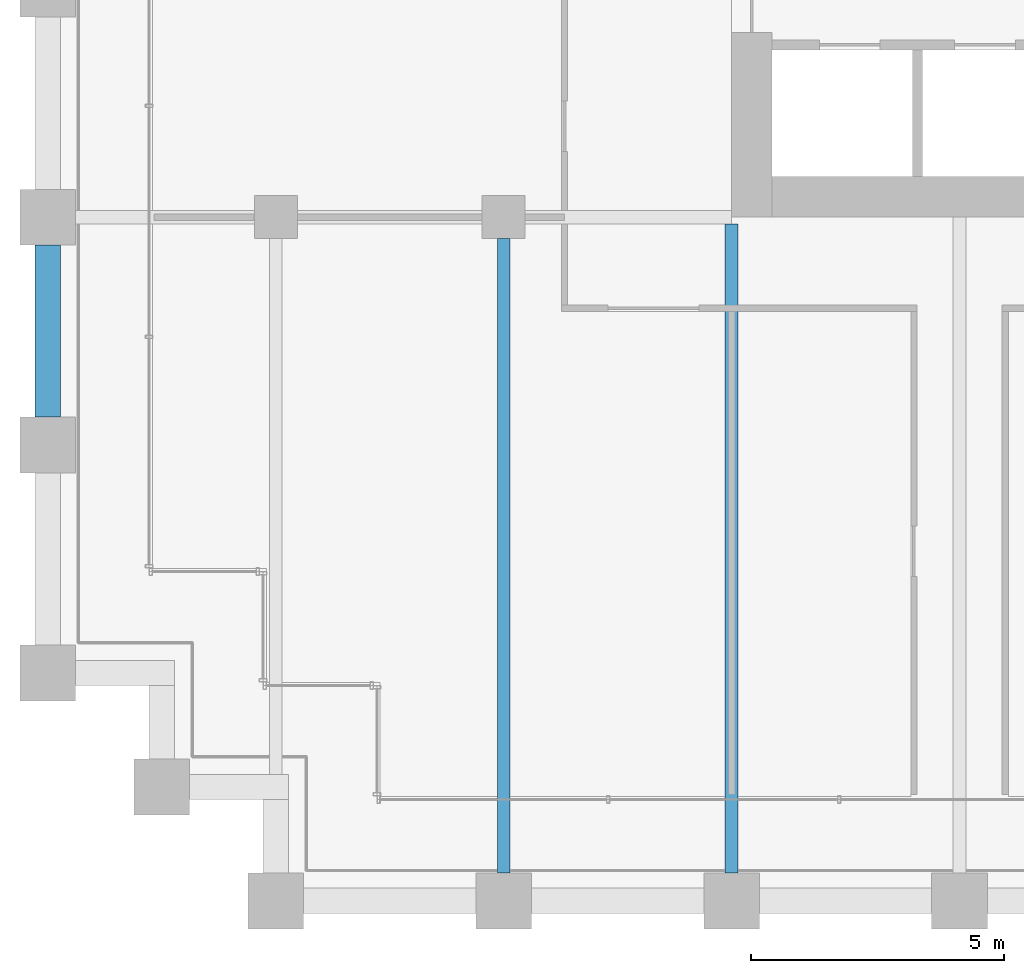
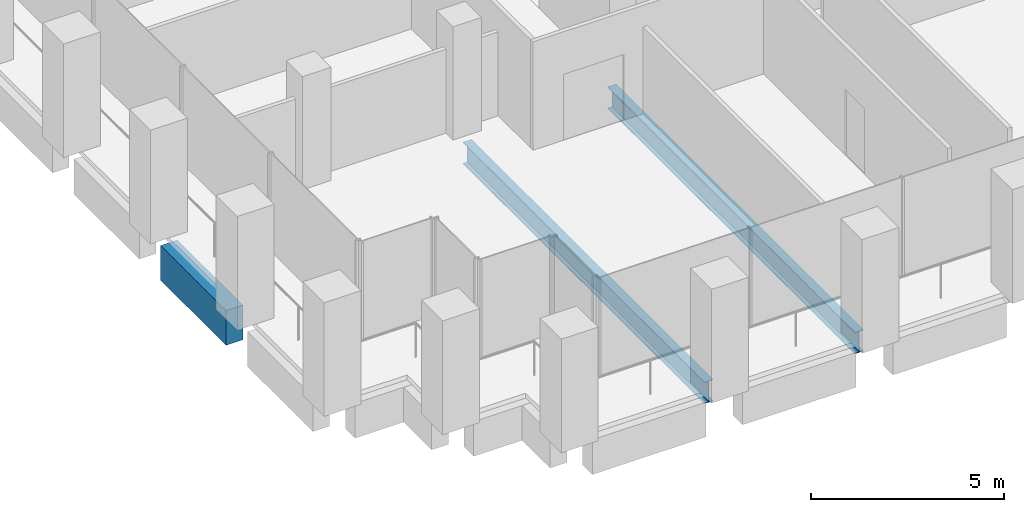
# One storey, part 4 of 56: 3 beams.
"""IFC4 building model written with IfcOpenShell, lengths in metres."""

from ifc_helpers import new_model, si_unit, direction, frame, origin, origin_2d, place, context, subcontext, project, spatial, rectangle, i_section, extrude, material, material_profile, profile_set, type_object, element, save


model = new_model("IFC4")

# Units and contexts
model_context = context("Model", 3, precision=1e-05, world=origin(), true_north=direction((0.0, 1.0)))
body_context = subcontext(model_context, "Body", "Model", "MODEL_VIEW")
ifc_project = project(units=[si_unit("LENGTHUNIT", "METRE"), si_unit("AREAUNIT", "SQUARE_METRE"), si_unit("VOLUMEUNIT", "CUBIC_METRE"), si_unit("PLANEANGLEUNIT", "RADIAN"), si_unit("MASSUNIT", "GRAM", prefix="KILO")], contexts=[model_context])

# Site, building, storey
site_placement = place(None, origin())
site = spatial("IfcSite", under=ifc_project, at=site_placement, CompositionType="ELEMENT")
building_placement = place(site_placement, origin())
building = spatial("IfcBuilding", under=site, at=building_placement, Name="Altepetl Exchange Towers", CompositionType="ELEMENT")
storey_placement = place(building_placement, frame((0.0, 0.0, 72.60009765625)))
storey = spatial("IfcBuildingStorey", under=building, at=storey_placement, Name="L17", CompositionType="ELEMENT", Elevation=72.60009765625)

# Beams
ifc_material_1 = material(Name="Steel S355", Category="steel")
ifc_material_profile_1 = material_profile(ifc_material_1, i_section(OverallWidth=0.25390625, OverallDepth=0.68408203125, WebThickness=0.012451171875, FlangeThickness=0.018798828125, at=origin_2d()), Name="W27X94")
ifc_profile_set_1 = profile_set([ifc_material_profile_1], Name="Steel S355")
beam_type_1 = type_object("IfcBeamType", Name="Floor beam W27X94", PredefinedType="BEAM", material=ifc_profile_set_1)
beam_1_placement = place(storey_placement, frame((36.0, 27.550048828125, -0.4921875), z_axis=(0.0, 1.0, 0.0), x_axis=(-1.0, 0.0, 0.0)))
element("IfcBeam", 1, at=beam_1_placement, inside=storey, type_object=beam_type_1, Name="bm:A:L17:013", PredefinedType="BEAM", context=body_context, shape_type="SweptSolid", body=[
    extrude(i_section(OverallWidth=0.25390625, OverallDepth=0.68408203125, WebThickness=0.012451171875, FlangeThickness=0.018798828125, at=origin_2d()), origin(), (0.0, 0.0, 1.0), 12.52490234375),
])
beam_2_placement = place(storey_placement, frame((40.5, 27.550048828125, -0.4921875), z_axis=(0.0, 1.0, 0.0), x_axis=(-1.0, 0.0, 0.0)))
element("IfcBeam", 2, at=beam_2_placement, inside=storey, type_object=beam_type_1, Name="bm:A:L17:014", PredefinedType="BEAM", context=body_context, shape_type="SweptSolid", body=[
    extrude(i_section(OverallWidth=0.25390625, OverallDepth=0.68408203125, WebThickness=0.012451171875, FlangeThickness=0.018798828125, at=origin_2d()), origin(), (0.0, 0.0, 1.0), 12.81591796875),
])
ifc_material_2 = material(Name="Concrete C50/60 precast with cantera blanca facing", Category="concrete")
ifc_material_profile_2 = material_profile(ifc_material_2, rectangle(XDim=0.5, YDim=1.10009765625, at=origin_2d()), Name="500 x 1100")
ifc_profile_set_2 = profile_set([ifc_material_profile_2], Name="Concrete C50/60 precast with cantera blanca facing")
beam_type_2 = type_object("IfcBeamType", Name="Spandrel beam 500x1100 cantera blanca", PredefinedType="SPANDREL", material=ifc_profile_set_2)
beam_3_placement = place(storey_placement, frame((27.0, 39.949951171875, -0.7001953125), z_axis=(0.0, -1.0, 0.0), x_axis=(1.0, 0.0, 0.0)))
element("IfcBeam", 3, at=beam_3_placement, inside=storey, type_object=beam_type_2, Name="sp:A:L17:042", PredefinedType="SPANDREL", context=body_context, shape_type="SweptSolid", body=[
    extrude(rectangle(XDim=0.5, YDim=1.10009765625, at=origin_2d()), origin(), (0.0, 0.0, 1.0), 3.39990234375),
])

save(model, "model.ifc")
